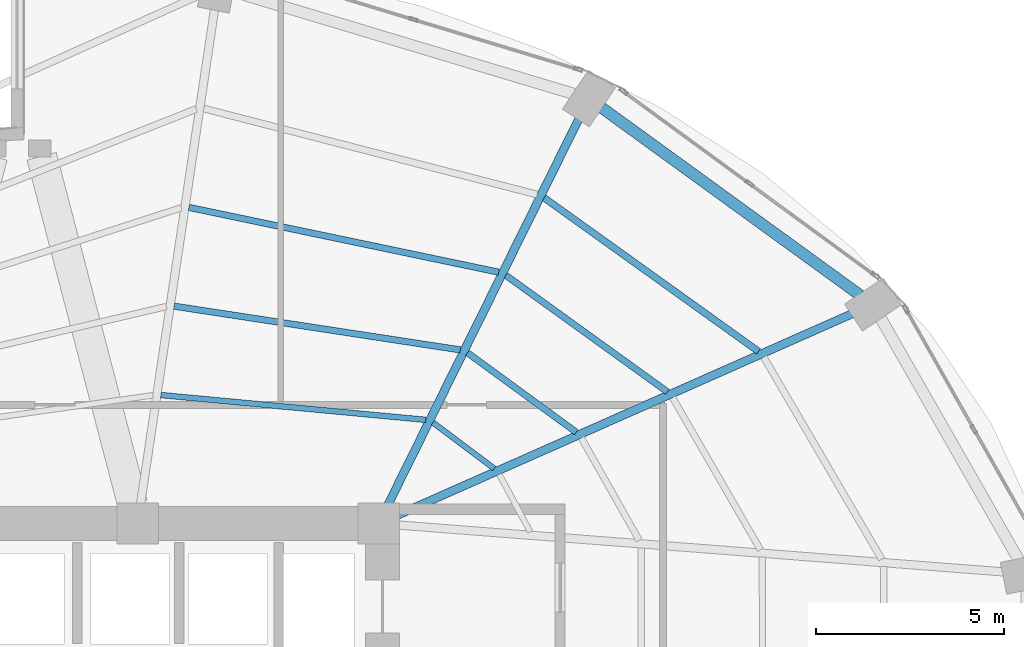
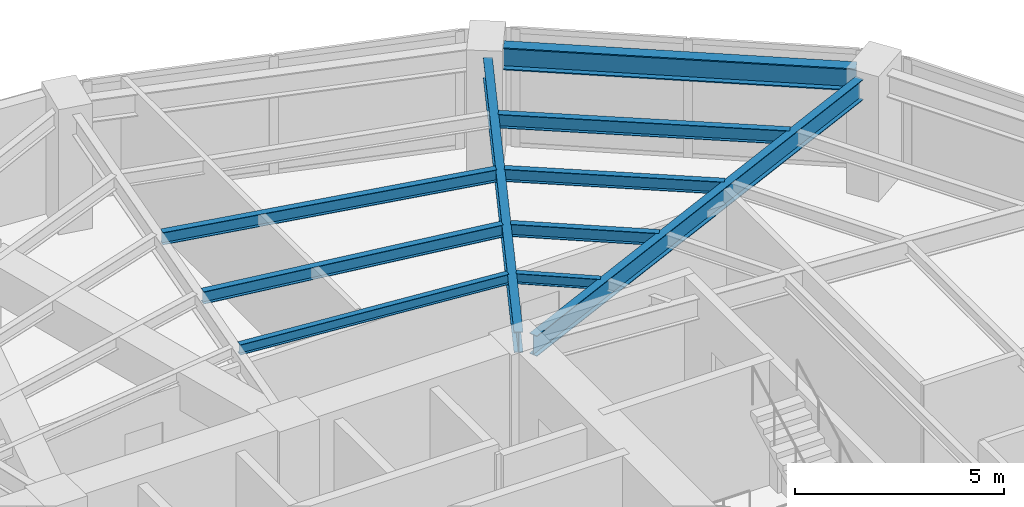
# One storey, part 16 of 24: 10 beams.
"""IFC4 building model written with IfcOpenShell, lengths in metres."""

from ifc_helpers import new_model, si_unit, direction, frame, origin, origin_2d, place, context, subcontext, project, spatial, i_section, extrude, material, material_profile, profile_set, type_object, element, save


model = new_model("IFC4")

# Units and contexts
model_context = context("Model", 3, precision=1e-05, world=origin(), true_north=direction((0.0, 1.0)))
body_context = subcontext(model_context, "Body", "Model", "MODEL_VIEW")
ifc_project = project(units=[si_unit("LENGTHUNIT", "METRE"), si_unit("AREAUNIT", "SQUARE_METRE"), si_unit("VOLUMEUNIT", "CUBIC_METRE"), si_unit("PLANEANGLEUNIT", "RADIAN"), si_unit("MASSUNIT", "GRAM", prefix="KILO")], contexts=[model_context])

# Site, building, storey
site_placement = place(None, origin())
site = spatial("IfcSite", under=ifc_project, at=site_placement, CompositionType="ELEMENT")
building_placement = place(site_placement, origin())
building = spatial("IfcBuilding", under=site, at=building_placement, Name="Lazwardi Medical Tower", CompositionType="ELEMENT")
storey_placement = place(building_placement, frame((0.0, 0.0, 39.7919921875)))
storey = spatial("IfcBuildingStorey", under=building, at=storey_placement, Name="L09", CompositionType="ELEMENT", Elevation=39.7919921875)

# Beams
ifc_material = material(Name="Steel S355", Category="steel")
ifc_material_profile_1 = material_profile(ifc_material, i_section(OverallWidth=0.300048828125, OverallDepth=0.64990234375, WebThickness=0.01611328125, FlangeThickness=0.031005859375, at=origin_2d()), Name="HEB 650")
ifc_profile_set_1 = profile_set([ifc_material_profile_1], Name="Steel S355")
beam_type_1 = type_object("IfcBeamType", Name="BM-RB-Z1", PredefinedType="BEAM", material=ifc_profile_set_1)
beam_1_placement = place(storey_placement, frame((58.3798828125, 41.660888671875, 3.10302734375), z_axis=(-0.809407079515, 0.587247971159, 0.0), x_axis=(-0.587247971159, -0.809407079515, 0.0)))
element("IfcBeam", 1, at=beam_1_placement, inside=storey, type_object=beam_type_1, Name="Ring beam RB-02 B06 L09", PredefinedType="BEAM", context=body_context, shape_type="SweptSolid", body=[
    extrude(i_section(OverallWidth=0.300048828125, OverallDepth=0.64990234375, WebThickness=0.01611328125, FlangeThickness=0.031005859375, at=origin_2d()), origin(), (0.0, 0.0, 1.0), 8.473876953125),
])
ifc_material_profile_2 = material_profile(ifc_material, i_section(OverallWidth=0.219970703125, OverallDepth=0.60009765625, WebThickness=0.011962890625, FlangeThickness=0.01904296875, at=origin_2d()), Name="IPE 600")
ifc_profile_set_2 = profile_set([ifc_material_profile_2], Name="Steel S355")
beam_type_2 = type_object("IfcBeamType", Name="BM-RG-W1", PredefinedType="BEAM", material=ifc_profile_set_2)
beam_2_placement = place(storey_placement, frame((58.189697265625, 41.17919921875, 3.1279296875), z_axis=(-0.914252189566, -0.405145571214, 0.0), x_axis=(0.405145571214, -0.914252189566, 0.0)))
element("IfcBeam", 2, at=beam_2_placement, inside=storey, type_object=beam_type_2, Name="Radial girder RG-02 R06 L09", PredefinedType="BEAM", context=body_context, shape_type="SweptSolid", body=[
    extrude(i_section(OverallWidth=0.219970703125, OverallDepth=0.60009765625, WebThickness=0.011962890625, FlangeThickness=0.01904296875, at=origin_2d()), origin(), (0.0, 0.0, 1.0), 13.235595703125),
])
beam_3_placement = place(storey_placement, frame((50.923828125, 46.364013671875, 3.1279296875), z_axis=(-0.443336723706, -0.896355146922, 0.0), x_axis=(0.896355146922, -0.443336723706, 0.0)))
element("IfcBeam", 3, at=beam_3_placement, inside=storey, type_object=beam_type_2, Name="Radial girder RG-02 R07 L09", PredefinedType="BEAM", context=body_context, shape_type="SweptSolid", body=[
    extrude(i_section(OverallWidth=0.219970703125, OverallDepth=0.60009765625, WebThickness=0.011962890625, FlangeThickness=0.01904296875, at=origin_2d()), origin(), (0.0, 0.0, 1.0), 11.4736328125),
])
ifc_material_profile_3 = material_profile(ifc_material, i_section(OverallWidth=0.179931640625, OverallDepth=0.39990234375, WebThickness=0.008544921875, FlangeThickness=0.013427734375, at=origin_2d()), Name="IPE 400")
ifc_profile_set_3 = profile_set([ifc_material_profile_3], Name="Steel S355")
beam_type_3 = type_object("IfcBeamType", Name="BM-SJ-01", PredefinedType="JOIST", material=ifc_profile_set_3)
beam_4_placement = place(storey_placement, frame((55.68408203125, 40.16796875, 3.22802734375), z_axis=(-0.812901036873, 0.582401840872, 0.0), x_axis=(-0.582401840872, -0.812901036873, 0.0)))
element("IfcBeam", 4, at=beam_4_placement, inside=storey, type_object=beam_type_3, Name="Secondary joist SJ-01 R1 B06 L09", PredefinedType="JOIST", context=body_context, shape_type="SweptSolid", body=[
    extrude(i_section(OverallWidth=0.179931640625, OverallDepth=0.39990234375, WebThickness=0.008544921875, FlangeThickness=0.013427734375, at=origin_2d()), origin(), (0.0, 0.0, 1.0), 7.002197265625),
])
ifc_material_profile_4 = material_profile(ifc_material, i_section(OverallWidth=0.169921875, OverallDepth=0.360107421875, WebThickness=0.008056640625, FlangeThickness=0.0126953125, at=origin_2d()), Name="IPE 360")
ifc_profile_set_4 = profile_set([ifc_material_profile_4], Name="Steel S355")
beam_type_4 = type_object("IfcBeamType", Name="BM-SJ-02", PredefinedType="JOIST", material=ifc_profile_set_4)
beam_5_placement = place(storey_placement, frame((53.26416015625, 39.095703125, 3.248046875), z_axis=(-0.811142764961, 0.584848198127, 0.0), x_axis=(-0.584848198127, -0.811142764961, 0.0)))
element("IfcBeam", 5, at=beam_5_placement, inside=storey, type_object=beam_type_4, Name="Secondary joist SJ-02 R2 B06 L09", PredefinedType="JOIST", context=body_context, shape_type="SweptSolid", body=[
    extrude(i_section(OverallWidth=0.169921875, OverallDepth=0.360107421875, WebThickness=0.008056640625, FlangeThickness=0.0126953125, at=origin_2d()), origin(), (0.0, 0.0, 1.0), 5.28857421875),
])
beam_6_placement = place(storey_placement, frame((48.786376953125, 42.271728515625, 3.248046875), z_axis=(-0.978809182847, 0.204774470026, 0.0), x_axis=(-0.204774470026, -0.978809182847, 0.0)))
element("IfcBeam", 6, at=beam_6_placement, inside=storey, type_object=beam_type_4, Name="Secondary joist SJ-02 R2 B07 L09", PredefinedType="JOIST", context=body_context, shape_type="SweptSolid", body=[
    extrude(i_section(OverallWidth=0.169921875, OverallDepth=0.360107421875, WebThickness=0.008056640625, FlangeThickness=0.0126953125, at=origin_2d()), origin(), (0.0, 0.0, 1.0), 8.40283203125),
])
beam_7_placement = place(storey_placement, frame((50.844482421875, 38.023681640625, 3.248046875), z_axis=(-0.80770129933, 0.589591902132, 0.0), x_axis=(-0.589591902132, -0.80770129933, 0.0)))
element("IfcBeam", 7, at=beam_7_placement, inside=storey, type_object=beam_type_4, Name="Secondary joist SJ-02 R3 B06 L09", PredefinedType="JOIST", context=body_context, shape_type="SweptSolid", body=[
    extrude(i_section(OverallWidth=0.169921875, OverallDepth=0.360107421875, WebThickness=0.008056640625, FlangeThickness=0.0126953125, at=origin_2d()), origin(), (0.0, 0.0, 1.0), 3.5751953125),
])
beam_8_placement = place(storey_placement, frame((47.76806640625, 40.209228515625, 3.248046875), z_axis=(-0.988535611365, 0.150987897074, 0.0), x_axis=(-0.150987897074, -0.988535611365, 0.0)))
element("IfcBeam", 8, at=beam_8_placement, inside=storey, type_object=beam_type_4, Name="Secondary joist SJ-02 R3 B07 L09", PredefinedType="JOIST", context=body_context, shape_type="SweptSolid", body=[
    extrude(i_section(OverallWidth=0.169921875, OverallDepth=0.360107421875, WebThickness=0.008056640625, FlangeThickness=0.0126953125, at=origin_2d()), origin(), (0.0, 0.0, 1.0), 7.68701171875),
])
ifc_material_profile_5 = material_profile(ifc_material, i_section(OverallWidth=0.14990234375, OverallDepth=0.300048828125, WebThickness=0.007080078125, FlangeThickness=0.0107421875, at=origin_2d()), Name="IPE 300")
ifc_profile_set_5 = profile_set([ifc_material_profile_5], Name="Steel S355")
beam_type_5 = type_object("IfcBeamType", Name="BM-SJ-03", PredefinedType="JOIST", material=ifc_profile_set_5)
beam_9_placement = place(storey_placement, frame((48.667236328125, 37.0595703125, 3.278076171875), z_axis=(-0.800115247939, 0.599846305328, 0.0), x_axis=(-0.599846305328, -0.800115247939, 0.0)))
element("IfcBeam", 9, at=beam_9_placement, inside=storey, type_object=beam_type_5, Name="Secondary joist SJ-03 R4 B06 L09", PredefinedType="JOIST", context=body_context, shape_type="SweptSolid", body=[
    extrude(i_section(OverallWidth=0.14990234375, OverallDepth=0.300048828125, WebThickness=0.007080078125, FlangeThickness=0.0107421875, at=origin_2d()), origin(), (0.0, 0.0, 1.0), 2.033447265625),
])
beam_10_placement = place(storey_placement, frame((46.851806640625, 38.35205078125, 3.278076171875), z_axis=(-0.995649263748, 0.093180167407, 0.0), x_axis=(-0.093180167407, -0.995649263748, 0.0)))
element("IfcBeam", 10, at=beam_10_placement, inside=storey, type_object=beam_type_5, Name="Secondary joist SJ-03 R4 B07 L09", PredefinedType="JOIST", context=body_context, shape_type="SweptSolid", body=[
    extrude(i_section(OverallWidth=0.14990234375, OverallDepth=0.300048828125, WebThickness=0.007080078125, FlangeThickness=0.0107421875, at=origin_2d()), origin(), (0.0, 0.0, 1.0), 7.06640625),
])

save(model, "model.ifc")
